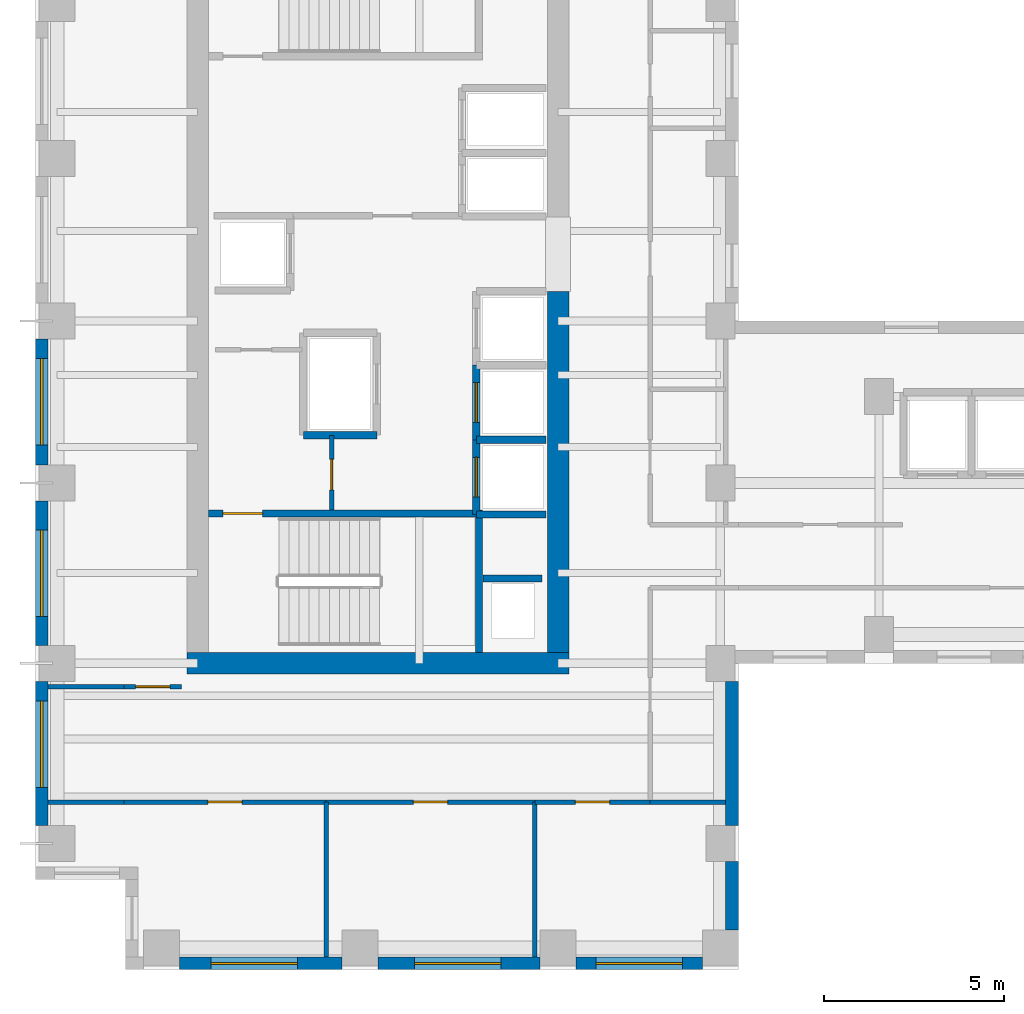
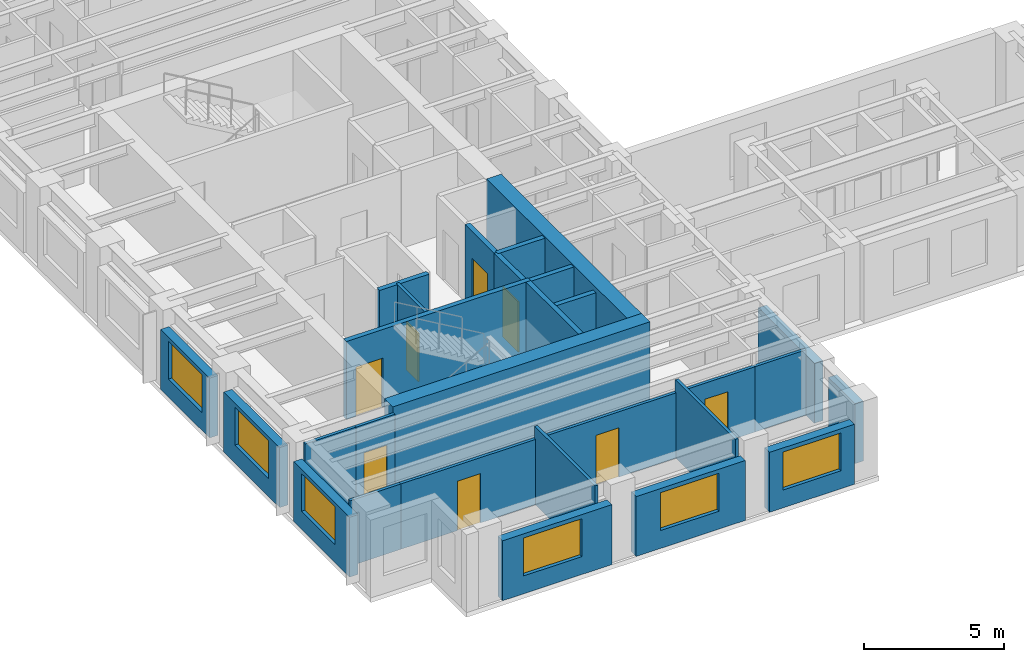
# One storey, part 3 of 11: 28 walls, 8 doors, 6 windows, 14 openings.
"""IFC4 building model written with IfcOpenShell, lengths in metres."""

from ifc_helpers import new_model, si_unit, direction, frame, frame_2d, origin, place, context, subcontext, project, spatial, rectangle, extrude, source, transform, mapped, material, layer, layer_set, type_object, element, fill, save


model = new_model("IFC4")

# Units and contexts
model_context = context("Model", 3, precision=1e-05, world=origin(), true_north=direction((0.0, 1.0)))
body_context = subcontext(model_context, "Body", "Model", "MODEL_VIEW")
ifc_project = project(units=[si_unit("LENGTHUNIT", "METRE"), si_unit("AREAUNIT", "SQUARE_METRE"), si_unit("VOLUMEUNIT", "CUBIC_METRE"), si_unit("PLANEANGLEUNIT", "RADIAN"), si_unit("MASSUNIT", "GRAM", prefix="KILO")], contexts=[model_context])

# Site, building, storey
site_placement = place(None, origin())
site = spatial("IfcSite", under=ifc_project, at=site_placement, CompositionType="ELEMENT")
building_placement = place(site_placement, origin())
building = spatial("IfcBuilding", under=site, at=building_placement, Name="Kharzan Plaza Tower", CompositionType="ELEMENT")
storey_placement = place(building_placement, frame((0.0, 0.0, 193.5)))
storey = spatial("IfcBuildingStorey", under=building, at=storey_placement, Name="L52", CompositionType="ELEMENT", Elevation=193.5)

# Wall, opening, window
ifc_material_1 = material(Name="Concrete C40/50", Category="concrete")
ifc_layer_1 = layer(ifc_material_1, 0.35009765625)
ifc_layer_set_1 = layer_set([ifc_layer_1], Name="Concrete C40/50")
wall_type_1 = type_object("IfcWallType", Name="WL-EXT-MAS-Z3", PredefinedType="SOLIDWALL", material=ifc_layer_set_1)
wall_1_placement = place(storey_placement, frame((0.175048828125, 17.501953125, 0.0), z_axis=(0.0, 0.0, 1.0), x_axis=(0.0, -1.0, 0.0)))
wall_1 = element("IfcWall", 1, at=wall_1_placement, inside=storey, type_object=wall_type_1, Name="L52 Masonry-Frame Exterior Wall 15", PredefinedType="SOLIDWALL", context=body_context, shape_type="SweptSolid", body=[
    extrude(rectangle(XDim=3.50390625, YDim=0.35009765625, at=frame_2d((1.751953125, 0.0))), origin(), (0.0, 0.0, 1.0), 2.612060546875),
])
opening_1_placement = place(wall_1_placement, frame((0.552001953125, 0.0, 0.780029296875)))
opening_1 = element("IfcOpeningElement", 2, at=opening_1_placement, cuts=wall_1, Name="Opening W2", PredefinedType="OPENING", context=body_context, shape_type="SweptSolid", body=[
    extrude(rectangle(XDim=2.39990234375, YDim=1.652099609375, at=frame_2d((1.199951171875, 0.826171875))), frame((0.0, 0.18505859375, 0.0), z_axis=(0.0, -1.0, 0.0), x_axis=(1.0, 0.0, 0.0)), (0.0, 0.0, 1.0), 0.3701171875),
])
ifc_material_2 = material(Name="Low-E Double Glazing", Category="glass")
window_type = type_object("IfcWindowType", Name="WN-REC-2400x2100", PartitioningType="SINGLE_PANEL", PredefinedType="WINDOW", material=ifc_material_2)
shared_shape_1 = source(origin(), body_context, "Body", "SweptSolid", [
    extrude(rectangle(XDim=2.39990234375, YDim=1.652099609375, at=frame_2d((1.199951171875, 0.826171875))), frame((0.0, 0.030029296875, 0.0), z_axis=(0.0, -1.0, 0.0), x_axis=(1.0, 0.0, 0.0)), (0.0, 0.0, 1.0), 0.06005859375),
])
window_1_placement = place(opening_1_placement, origin())
window_1 = element("IfcWindow", 3, at=window_1_placement, inside=storey, type_object=window_type, Name="L52 Wide Recessed Solar-Control Window 15-1", OverallHeight=1.652099609375, OverallWidth=2.39990234375, PartitioningType="SINGLE_PANEL", PredefinedType="WINDOW", context=body_context, shape_type="MappedRepresentation", body=[
    mapped(shared_shape_1, transform((0.0, 0.0, 0.0), x_axis=(1.0, 0.0, 0.0), y_axis=(0.0, 1.0, 0.0), z_axis=(0.0, 0.0, 1.0))),
])
fill(opening_1, window_1)

wall_2_placement = place(storey_placement, frame((0.175048828125, 13.001953125, 0.0), z_axis=(0.0, 0.0, 1.0), x_axis=(0.0, -1.0, 0.0)))
wall_2 = element("IfcWall", 4, at=wall_2_placement, inside=storey, type_object=wall_type_1, Name="L52 Masonry-Frame Exterior Wall 16", PredefinedType="SOLIDWALL", context=body_context, shape_type="SweptSolid", body=[
    extrude(rectangle(XDim=4.00390625, YDim=0.35009765625, at=frame_2d((2.001953125, 0.0))), origin(), (0.0, 0.0, 1.0), 2.612060546875),
])
opening_2_placement = place(wall_2_placement, frame((0.802001953125, 0.0, 0.780029296875)))
opening_2 = element("IfcOpeningElement", 5, at=opening_2_placement, cuts=wall_2, Name="Opening W2", PredefinedType="OPENING", context=body_context, shape_type="SweptSolid", body=[
    extrude(rectangle(XDim=2.39990234375, YDim=1.652099609375, at=frame_2d((1.199951171875, 0.826171875))), frame((0.0, 0.18505859375, 0.0), z_axis=(0.0, -1.0, 0.0), x_axis=(1.0, 0.0, 0.0)), (0.0, 0.0, 1.0), 0.3701171875),
])
window_2_placement = place(opening_2_placement, origin())
window_2 = element("IfcWindow", 6, at=window_2_placement, inside=storey, type_object=window_type, Name="L52 Wide Recessed Solar-Control Window 16-1", OverallHeight=1.652099609375, OverallWidth=2.39990234375, PartitioningType="SINGLE_PANEL", PredefinedType="WINDOW", context=body_context, shape_type="MappedRepresentation", body=[
    mapped(shared_shape_1, transform((0.0, 0.0, 0.0), x_axis=(1.0, 0.0, 0.0), y_axis=(0.0, 1.0, 0.0), z_axis=(0.0, 0.0, 1.0))),
])
fill(opening_2, window_2)

wall_3_placement = place(storey_placement, frame((0.175048828125, 8.001953125, 0.0), z_axis=(0.0, 0.0, 1.0), x_axis=(0.0, -1.0, 0.0)))
wall_3 = element("IfcWall", 7, at=wall_3_placement, inside=storey, type_object=wall_type_1, Name="L52 Masonry-Frame Exterior Wall 17", PredefinedType="SOLIDWALL", context=body_context, shape_type="SweptSolid", body=[
    extrude(rectangle(XDim=4.00390625, YDim=0.35009765625, at=frame_2d((2.001953125, 0.0))), origin(), (0.0, 0.0, 1.0), 2.612060546875),
])
opening_3_placement = place(wall_3_placement, frame((0.552001953125, 0.0, 0.780029296875)))
opening_3 = element("IfcOpeningElement", 8, at=opening_3_placement, cuts=wall_3, Name="Opening W2", PredefinedType="OPENING", context=body_context, shape_type="SweptSolid", body=[
    extrude(rectangle(XDim=2.39990234375, YDim=1.652099609375, at=frame_2d((1.199951171875, 0.826171875))), frame((0.0, 0.18505859375, 0.0), z_axis=(0.0, -1.0, 0.0), x_axis=(1.0, 0.0, 0.0)), (0.0, 0.0, 1.0), 0.3701171875),
])
window_3_placement = place(opening_3_placement, origin())
window_3 = element("IfcWindow", 9, at=window_3_placement, inside=storey, type_object=window_type, Name="L52 Wide Recessed Solar-Control Window 17-1", OverallHeight=1.652099609375, OverallWidth=2.39990234375, PartitioningType="SINGLE_PANEL", PredefinedType="WINDOW", context=body_context, shape_type="MappedRepresentation", body=[
    mapped(shared_shape_1, transform((0.0, 0.0, 0.0), x_axis=(1.0, 0.0, 0.0), y_axis=(0.0, 1.0, 0.0), z_axis=(0.0, 0.0, 1.0))),
])
fill(opening_3, window_3)

wall_4_placement = place(storey_placement, frame((3.998046875, 0.175048828125, 0.0), z_axis=(0.0, 0.0, 1.0), x_axis=(1.0, 0.0, 0.0)))
wall_4 = element("IfcWall", 10, at=wall_4_placement, inside=storey, type_object=wall_type_1, Name="L52 Masonry-Frame Exterior Wall 21", PredefinedType="SOLIDWALL", context=body_context, shape_type="SweptSolid", body=[
    extrude(rectangle(XDim=4.50390625, YDim=0.35009765625, at=frame_2d((2.251953125, 0.0))), origin(), (0.0, 0.0, 1.0), 2.612060546875),
])
opening_4_placement = place(wall_4_placement, frame((0.866455078125, 0.0, 0.780029296875)))
opening_4 = element("IfcOpeningElement", 11, at=opening_4_placement, cuts=wall_4, Name="Opening W2", PredefinedType="OPENING", context=body_context, shape_type="SweptSolid", body=[
    extrude(rectangle(XDim=2.39990234375, YDim=1.652099609375, at=frame_2d((1.199951171875, 0.826171875))), frame((0.0, 0.18505859375, 0.0), z_axis=(0.0, -1.0, 0.0), x_axis=(1.0, 0.0, 0.0)), (0.0, 0.0, 1.0), 0.3701171875),
])
window_4_placement = place(opening_4_placement, origin())
window_4 = element("IfcWindow", 12, at=window_4_placement, inside=storey, type_object=window_type, Name="L52 Wide Recessed Solar-Control Window 21-1", OverallHeight=1.652099609375, OverallWidth=2.39990234375, PartitioningType="SINGLE_PANEL", PredefinedType="WINDOW", context=body_context, shape_type="MappedRepresentation", body=[
    mapped(shared_shape_1, transform((0.0, 0.0, 0.0), x_axis=(1.0, 0.0, 0.0), y_axis=(0.0, 1.0, 0.0), z_axis=(0.0, 0.0, 1.0))),
])
fill(opening_4, window_4)

wall_5_placement = place(storey_placement, frame((9.498046875, 0.175048828125, 0.0), z_axis=(0.0, 0.0, 1.0), x_axis=(1.0, 0.0, 0.0)))
wall_5 = element("IfcWall", 13, at=wall_5_placement, inside=storey, type_object=wall_type_1, Name="L52 Masonry-Frame Exterior Wall 22", PredefinedType="SOLIDWALL", context=body_context, shape_type="SweptSolid", body=[
    extrude(rectangle(XDim=4.50390625, YDim=0.35009765625, at=frame_2d((2.251953125, 0.0))), origin(), (0.0, 0.0, 1.0), 2.612060546875),
])
opening_5_placement = place(wall_5_placement, frame((1.012939453125, 0.0, 0.780029296875)))
opening_5 = element("IfcOpeningElement", 14, at=opening_5_placement, cuts=wall_5, Name="Opening W2", PredefinedType="OPENING", context=body_context, shape_type="SweptSolid", body=[
    extrude(rectangle(XDim=2.39990234375, YDim=1.652099609375, at=frame_2d((1.199951171875, 0.826171875))), frame((0.0, 0.18505859375, 0.0), z_axis=(0.0, -1.0, 0.0), x_axis=(1.0, 0.0, 0.0)), (0.0, 0.0, 1.0), 0.3701171875),
])
window_5_placement = place(opening_5_placement, origin())
window_5 = element("IfcWindow", 15, at=window_5_placement, inside=storey, type_object=window_type, Name="L52 Wide Recessed Solar-Control Window 22-1", OverallHeight=1.652099609375, OverallWidth=2.39990234375, PartitioningType="SINGLE_PANEL", PredefinedType="WINDOW", context=body_context, shape_type="MappedRepresentation", body=[
    mapped(shared_shape_1, transform((0.0, 0.0, 0.0), x_axis=(1.0, 0.0, 0.0), y_axis=(0.0, 1.0, 0.0), z_axis=(0.0, 0.0, 1.0))),
])
fill(opening_5, window_5)

wall_6_placement = place(storey_placement, frame((14.998046875, 0.175048828125, 0.0), z_axis=(0.0, 0.0, 1.0), x_axis=(1.0, 0.0, 0.0)))
wall_6 = element("IfcWall", 16, at=wall_6_placement, inside=storey, type_object=wall_type_1, Name="L52 Masonry-Frame Exterior Wall 23", PredefinedType="SOLIDWALL", context=body_context, shape_type="SweptSolid", body=[
    extrude(rectangle(XDim=3.50390625, YDim=0.35009765625, at=frame_2d((1.751953125, 0.0))), origin(), (0.0, 0.0, 1.0), 2.612060546875),
])
opening_6_placement = place(wall_6_placement, frame((0.552001953125, 0.0, 0.780029296875)))
opening_6 = element("IfcOpeningElement", 17, at=opening_6_placement, cuts=wall_6, Name="Opening W2", PredefinedType="OPENING", context=body_context, shape_type="SweptSolid", body=[
    extrude(rectangle(XDim=2.39990234375, YDim=1.652099609375, at=frame_2d((1.199951171875, 0.826171875))), frame((0.0, 0.18505859375, 0.0), z_axis=(0.0, -1.0, 0.0), x_axis=(1.0, 0.0, 0.0)), (0.0, 0.0, 1.0), 0.3701171875),
])
window_6_placement = place(opening_6_placement, origin())
window_6 = element("IfcWindow", 18, at=window_6_placement, inside=storey, type_object=window_type, Name="L52 Wide Recessed Solar-Control Window 23-1", OverallHeight=1.652099609375, OverallWidth=2.39990234375, PartitioningType="SINGLE_PANEL", PredefinedType="WINDOW", context=body_context, shape_type="MappedRepresentation", body=[
    mapped(shared_shape_1, transform((0.0, 0.0, 0.0), x_axis=(1.0, 0.0, 0.0), y_axis=(0.0, 1.0, 0.0), z_axis=(0.0, 0.0, 1.0))),
])
fill(opening_6, window_6)

# Wall, opening, door
ifc_material_3 = material(Name="Fire-Rated Gypsum Board Partition", Category="gypsum")
ifc_layer_2 = layer(ifc_material_3, 0.125)
ifc_layer_set_2 = layer_set([ifc_layer_2], Name="Fire-Rated Gypsum Board Partition")
wall_type_2 = type_object("IfcWallType", Name="WL-INT-PART-125", PredefinedType="PARTITIONING", material=ifc_layer_set_2)
wall_7_placement = place(storey_placement, frame((8.219970703125, 12.75, 0.0), z_axis=(0.0, 0.0, 1.0), x_axis=(0.0, 1.0, 0.0)))
wall_7 = element("IfcWall", 19, at=wall_7_placement, inside=storey, type_object=wall_type_2, Name="L52 Interior Partition CA-K1E", PredefinedType="PARTITIONING", context=body_context, shape_type="SweptSolid", body=[
    extrude(rectangle(XDim=2.070068359375, YDim=0.125, at=frame_2d((1.03515625, 0.0))), origin(), (0.0, 0.0, 1.0), 3.385009765625),
])
opening_7_placement = place(wall_7_placement, frame((0.56005859375, 0.0, 0.0)))
opening_7 = element("IfcOpeningElement", 20, at=opening_7_placement, cuts=wall_7, Name="Opening RD1", PredefinedType="OPENING", context=body_context, shape_type="SweptSolid", body=[
    extrude(rectangle(XDim=0.85009765625, YDim=2.10009765625, at=frame_2d((0.425048828125, 1.050048828125))), frame((0.0, 0.072509765625, 0.0), z_axis=(0.0, -1.0, 0.0), x_axis=(1.0, 0.0, 0.0)), (0.0, 0.0, 1.0), 0.14501953125),
])
ifc_material_4 = material(Name="Powder-Coated Fire-Rated Steel", Category="steel")
door_type_1 = type_object("IfcDoorType", Name="DR-RISER-900", OperationType="NOTDEFINED", PredefinedType="DOOR", material=ifc_material_4)
shared_shape_2 = source(origin(), body_context, "Body", "SweptSolid", [
    extrude(rectangle(XDim=0.85009765625, YDim=2.10009765625, at=frame_2d((0.425048828125, 1.050048828125))), frame((0.0, 0.02490234375, 0.0), z_axis=(0.0, -1.0, 0.0), x_axis=(1.0, 0.0, 0.0)), (0.0, 0.0, 1.0), 0.050048828125),
])
door_1_placement = place(opening_7_placement, origin())
door_1 = element("IfcDoor", 21, at=door_1_placement, inside=storey, type_object=door_type_1, Name="L52 Core Service Store Door", OperationType="SINGLE_SWING_RIGHT", OverallHeight=2.10009765625, OverallWidth=0.85009765625, PredefinedType="DOOR", context=body_context, shape_type="MappedRepresentation", body=[
    mapped(shared_shape_2, transform((0.0, 0.0, 0.0), x_axis=(1.0, 0.0, 0.0), y_axis=(0.0, 1.0, 0.0), z_axis=(0.0, 0.0, 1.0))),
])
fill(opening_7, door_1)

wall_8_placement = place(storey_placement, frame((2.449951171875, 7.85009765625, 0.0), z_axis=(0.0, 0.0, 1.0), x_axis=(1.0, 0.0, 0.0)))
wall_8 = element("IfcWall", 22, at=wall_8_placement, inside=storey, type_object=wall_type_2, Name="L52 Interior Partition SH-RWSD", PredefinedType="PARTITIONING", context=body_context, shape_type="SweptSolid", body=[
    extrude(rectangle(XDim=1.60009765625, YDim=0.125, at=frame_2d((0.800048828125, 0.0))), origin(), (0.0, 0.0, 1.0), 3.385009765625),
])
opening_8_placement = place(wall_8_placement, frame((0.324951171875, 0.0, 0.0)))
opening_8 = element("IfcOpeningElement", 23, at=opening_8_placement, cuts=wall_8, Name="Opening OD1", PredefinedType="OPENING", context=body_context, shape_type="SweptSolid", body=[
    extrude(rectangle(XDim=0.949951171875, YDim=2.14990234375, at=frame_2d((0.47509765625, 1.074951171875))), frame((0.0, 0.072509765625, 0.0), z_axis=(0.0, -1.0, 0.0), x_axis=(1.0, 0.0, 0.0)), (0.0, 0.0, 1.0), 0.14501953125),
])
ifc_material_5 = material(Name="Acoustic Solid-Core Stained Oak", Category="timber")
door_type_2 = type_object("IfcDoorType", Name="DR-OFF-SINGLE", OperationType="NOTDEFINED", PredefinedType="DOOR", material=ifc_material_5)
shared_shape_3 = source(origin(), body_context, "Body", "SweptSolid", [
    extrude(rectangle(XDim=0.949951171875, YDim=2.14990234375, at=frame_2d((0.47509765625, 1.074951171875))), frame((0.0, 0.02490234375, 0.0), z_axis=(0.0, -1.0, 0.0), x_axis=(1.0, 0.0, 0.0)), (0.0, 0.0, 1.0), 0.050048828125),
])
door_2_placement = place(opening_8_placement, origin())
door_2 = element("IfcDoor", 24, at=door_2_placement, inside=storey, type_object=door_type_2, Name="L52 West Studio South Door", OperationType="SINGLE_SWING_RIGHT", OverallHeight=2.14990234375, OverallWidth=0.949951171875, PredefinedType="DOOR", context=body_context, shape_type="MappedRepresentation", body=[
    mapped(shared_shape_3, transform((0.0, 0.0, 0.0), x_axis=(1.0, 0.0, 0.0), y_axis=(0.0, 1.0, 0.0), z_axis=(0.0, 0.0, 1.0))),
])
fill(opening_8, door_2)

wall_9_placement = place(storey_placement, frame((2.449951171875, 4.64990234375, 0.0), z_axis=(0.0, 0.0, 1.0), x_axis=(1.0, 0.0, 0.0)))
wall_9 = element("IfcWall", 25, at=wall_9_placement, inside=storey, type_object=wall_type_2, Name="L52 Interior Partition SH-SS-1", PredefinedType="PARTITIONING", context=body_context, shape_type="SweptSolid", body=[
    extrude(rectangle(XDim=5.611083984375, YDim=0.125, at=frame_2d((2.8056640625, 0.0))), origin(), (0.0, 0.0, 1.0), 2.847900390625),
])
opening_9_placement = place(wall_9_placement, frame((2.33056640625, 0.0, 0.0)))
opening_9 = element("IfcOpeningElement", 26, at=opening_9_placement, cuts=wall_9, Name="Opening OD1", PredefinedType="OPENING", context=body_context, shape_type="SweptSolid", body=[
    extrude(rectangle(XDim=0.949951171875, YDim=2.14990234375, at=frame_2d((0.47509765625, 1.074951171875))), frame((0.0, 0.072509765625, 0.0), z_axis=(0.0, -1.0, 0.0), x_axis=(1.0, 0.0, 0.0)), (0.0, 0.0, 1.0), 0.14501953125),
])
door_3_placement = place(opening_9_placement, origin())
door_3 = element("IfcDoor", 27, at=door_3_placement, inside=storey, type_object=door_type_2, Name="L52 Cloud Architecture Office Door", OperationType="SINGLE_SWING_LEFT", OverallHeight=2.14990234375, OverallWidth=0.949951171875, PredefinedType="DOOR", context=body_context, shape_type="MappedRepresentation", body=[
    mapped(shared_shape_3, transform((0.0, 0.0, 0.0), x_axis=(1.0, 0.0, 0.0), y_axis=(0.0, 1.0, 0.0), z_axis=(0.0, 0.0, 1.0))),
])
fill(opening_9, door_3)

wall_10_placement = place(storey_placement, frame((8.06103515625, 4.64990234375, 0.0), z_axis=(0.0, 0.0, 1.0), x_axis=(1.0, 0.0, 0.0)))
wall_10 = element("IfcWall", 28, at=wall_10_placement, inside=storey, type_object=wall_type_2, Name="L52 Interior Partition SH-SS-2", PredefinedType="PARTITIONING", context=body_context, shape_type="SweptSolid", body=[
    extrude(rectangle(XDim=5.79296875, YDim=0.125, at=frame_2d((2.896484375, 0.0))), origin(), (0.0, 0.0, 1.0), 2.847900390625),
])
opening_10_placement = place(wall_10_placement, frame((2.42138671875, 0.0, 0.0)))
opening_10 = element("IfcOpeningElement", 29, at=opening_10_placement, cuts=wall_10, Name="Opening OD1", PredefinedType="OPENING", context=body_context, shape_type="SweptSolid", body=[
    extrude(rectangle(XDim=0.949951171875, YDim=2.14990234375, at=frame_2d((0.47509765625, 1.074951171875))), frame((0.0, 0.072509765625, 0.0), z_axis=(0.0, -1.0, 0.0), x_axis=(1.0, 0.0, 0.0)), (0.0, 0.0, 1.0), 0.14501953125),
])
door_4_placement = place(opening_10_placement, origin())
door_4 = element("IfcDoor", 30, at=door_4_placement, inside=storey, type_object=door_type_2, Name="L52 Sprint Review Meeting Room Door", OperationType="SINGLE_SWING_RIGHT", OverallHeight=2.14990234375, OverallWidth=0.949951171875, PredefinedType="DOOR", context=body_context, shape_type="MappedRepresentation", body=[
    mapped(shared_shape_3, transform((0.0, 0.0, 0.0), x_axis=(1.0, 0.0, 0.0), y_axis=(0.0, 1.0, 0.0), z_axis=(0.0, 0.0, 1.0))),
])
fill(opening_10, door_4)

wall_11_placement = place(storey_placement, frame((13.85400390625, 4.64990234375, 0.0), z_axis=(0.0, 0.0, 1.0), x_axis=(1.0, 0.0, 0.0)))
wall_11 = element("IfcWall", 31, at=wall_11_placement, inside=storey, type_object=wall_type_2, Name="L52 Interior Partition SH-SS-3", PredefinedType="PARTITIONING", context=body_context, shape_type="SweptSolid", body=[
    extrude(rectangle(XDim=3.196044921875, YDim=0.125, at=frame_2d((1.59814453125, 0.0))), origin(), (0.0, 0.0, 1.0), 2.847900390625),
])
opening_11_placement = place(wall_11_placement, frame((1.123046875, 0.0, 0.0)))
opening_11 = element("IfcOpeningElement", 32, at=opening_11_placement, cuts=wall_11, Name="Opening OD1", PredefinedType="OPENING", context=body_context, shape_type="SweptSolid", body=[
    extrude(rectangle(XDim=0.949951171875, YDim=2.14990234375, at=frame_2d((0.47509765625, 1.074951171875))), frame((0.0, 0.072509765625, 0.0), z_axis=(0.0, -1.0, 0.0), x_axis=(1.0, 0.0, 0.0)), (0.0, 0.0, 1.0), 0.14501953125),
])
door_5_placement = place(opening_11_placement, origin())
door_5 = element("IfcDoor", 33, at=door_5_placement, inside=storey, type_object=door_type_2, Name="L52 Staff Tea Pantry Door", OperationType="SINGLE_SWING_LEFT", OverallHeight=2.14990234375, OverallWidth=0.949951171875, PredefinedType="DOOR", context=body_context, shape_type="MappedRepresentation", body=[
    mapped(shared_shape_3, transform((0.0, 0.0, 0.0), x_axis=(1.0, 0.0, 0.0), y_axis=(0.0, 1.0, 0.0), z_axis=(0.0, 0.0, 1.0))),
])
fill(opening_11, door_5)

ifc_layer_3 = layer(ifc_material_1, 0.199951171875)
ifc_layer_set_3 = layer_set([ifc_layer_3], Name="Concrete C40/50")
wall_type_3 = type_object("IfcWallType", Name="WL-INT-SHAFT-200", PredefinedType="PARTITIONING", material=ifc_layer_set_3)
wall_12_placement = place(storey_placement, frame((12.22998046875, 12.6298828125, 0.0), z_axis=(0.0, 0.0, 1.0), x_axis=(0.0, 1.0, 0.0)))
wall_12 = element("IfcWall", 34, at=wall_12_placement, inside=storey, type_object=wall_type_3, Name="L52 Interior Partition SHF-PL-H1-W", PredefinedType="PARTITIONING", context=body_context, shape_type="SweptSolid", body=[
    extrude(rectangle(XDim=2.070068359375, YDim=0.199951171875, at=frame_2d((1.03515625, 0.0))), origin(), (0.0, 0.0, 1.0), 3.385009765625),
])
opening_12_placement = place(wall_12_placement, frame((0.485107421875, 0.0, 0.0)))
opening_12 = element("IfcOpeningElement", 35, at=opening_12_placement, cuts=wall_12, Name="Opening LD", PredefinedType="OPENING", context=body_context, shape_type="SweptSolid", body=[
    extrude(rectangle(XDim=1.10009765625, YDim=2.199951171875, at=frame_2d((0.550048828125, 1.10009765625))), frame((0.0, 0.10986328125, 0.0), z_axis=(0.0, -1.0, 0.0), x_axis=(1.0, 0.0, 0.0)), (0.0, 0.0, 1.0), 0.219970703125),
])
ifc_material_6 = material(Name="Brushed Stainless Steel", Category="steel")
door_type_3 = type_object("IfcDoorType", Name="DR-LIFT-SLIDE", OperationType="SLIDING_TO_LEFT", PredefinedType="DOOR", material=ifc_material_6)
shared_shape_4 = source(origin(), body_context, "Body", "SweptSolid", [
    extrude(rectangle(XDim=1.10009765625, YDim=2.199951171875, at=frame_2d((0.550048828125, 1.10009765625))), frame((0.0, 0.02490234375, 0.0), z_axis=(0.0, -1.0, 0.0), x_axis=(1.0, 0.0, 0.0)), (0.0, 0.0, 1.0), 0.050048828125),
])
door_6_placement = place(opening_12_placement, origin())
door_6 = element("IfcDoor", 36, at=door_6_placement, inside=storey, type_object=door_type_3, Name="L52 High-Rise Passenger Lift PL-H1 Sliding Landing Door", OperationType="SLIDING_TO_LEFT", OverallHeight=2.199951171875, OverallWidth=1.10009765625, PredefinedType="DOOR", context=body_context, shape_type="MappedRepresentation", body=[
    mapped(shared_shape_4, transform((0.0, 0.0, 0.0), x_axis=(1.0, 0.0, 0.0), y_axis=(0.0, 1.0, 0.0), z_axis=(0.0, 0.0, 1.0))),
])
fill(opening_12, door_6)

wall_13_placement = place(storey_placement, frame((12.22998046875, 14.699951171875, 0.0), z_axis=(0.0, 0.0, 1.0), x_axis=(0.0, 1.0, 0.0)))
wall_13 = element("IfcWall", 37, at=wall_13_placement, inside=storey, type_object=wall_type_3, Name="L52 Interior Partition SHF-PL-H2-W", PredefinedType="PARTITIONING", context=body_context, shape_type="SweptSolid", body=[
    extrude(rectangle(XDim=2.070068359375, YDim=0.199951171875, at=frame_2d((1.03515625, 0.0))), origin(), (0.0, 0.0, 1.0), 3.385009765625),
])
opening_13_placement = place(wall_13_placement, frame((0.485107421875, 0.0, 0.0)))
opening_13 = element("IfcOpeningElement", 38, at=opening_13_placement, cuts=wall_13, Name="Opening LD", PredefinedType="OPENING", context=body_context, shape_type="SweptSolid", body=[
    extrude(rectangle(XDim=1.10009765625, YDim=2.199951171875, at=frame_2d((0.550048828125, 1.10009765625))), frame((0.0, 0.10986328125, 0.0), z_axis=(0.0, -1.0, 0.0), x_axis=(1.0, 0.0, 0.0)), (0.0, 0.0, 1.0), 0.219970703125),
])
door_7_placement = place(opening_13_placement, origin())
door_7 = element("IfcDoor", 39, at=door_7_placement, inside=storey, type_object=door_type_3, Name="L52 High-Rise Passenger Lift PL-H2 Sliding Landing Door", OperationType="SLIDING_TO_LEFT", OverallHeight=2.199951171875, OverallWidth=1.10009765625, PredefinedType="DOOR", context=body_context, shape_type="MappedRepresentation", body=[
    mapped(shared_shape_4, transform((0.0, 0.0, 0.0), x_axis=(1.0, 0.0, 0.0), y_axis=(0.0, 1.0, 0.0), z_axis=(0.0, 0.0, 1.0))),
])
fill(opening_13, door_7)

ifc_material_7 = material(Name="Concrete C50/60", Category="concrete")
ifc_layer_4 = layer(ifc_material_7, 0.199951171875)
ifc_layer_set_4 = layer_set([ifc_layer_4], Name="Concrete C50/60")
wall_type_4 = type_object("IfcWallType", Name="WL-SHAFT-RC200", PredefinedType="SHEAR", material=ifc_layer_set_4)
wall_14_placement = place(storey_placement, frame((4.802001953125, 12.655029296875, 0.0), z_axis=(0.0, 0.0, 1.0), x_axis=(1.0, 0.0, 0.0)))
wall_14 = element("IfcWall", 40, at=wall_14_placement, inside=storey, type_object=wall_type_4, Name="L52 Stair ST-1 North RC Shaft Wall", PredefinedType="SHEAR", context=body_context, shape_type="SweptSolid", body=[
    extrude(rectangle(XDim=7.60302734375, YDim=0.199951171875, at=frame_2d((3.801513671875, 0.0))), origin(), (0.0, 0.0, 1.0), 3.39990234375),
])
opening_14_placement = place(wall_14_placement, frame((0.39990234375, 0.0, 0.0)))
opening_14 = element("IfcOpeningElement", 41, at=opening_14_placement, cuts=wall_14, Name="Opening SD1", PredefinedType="OPENING", context=body_context, shape_type="SweptSolid", body=[
    extrude(rectangle(XDim=1.10009765625, YDim=2.14990234375, at=frame_2d((0.550048828125, 1.074951171875))), frame((0.0, 0.10986328125, 0.0), z_axis=(0.0, -1.0, 0.0), x_axis=(1.0, 0.0, 0.0)), (0.0, 0.0, 1.0), 0.219970703125),
])
ifc_material_8 = material(Name="Fire-Rated Hollow Galvanized Steel", Category="steel")
door_type_4 = type_object("IfcDoorType", Name="DR-STAIR-FD120", OperationType="NOTDEFINED", PredefinedType="DOOR", material=ifc_material_8)
shared_shape_5 = source(origin(), body_context, "Body", "SweptSolid", [
    extrude(rectangle(XDim=1.10009765625, YDim=2.14990234375, at=frame_2d((0.550048828125, 1.074951171875))), frame((0.0, 0.02490234375, 0.0), z_axis=(0.0, -1.0, 0.0), x_axis=(1.0, 0.0, 0.0)), (0.0, 0.0, 1.0), 0.050048828125),
])
door_8_placement = place(opening_14_placement, origin())
door_8 = element("IfcDoor", 42, at=door_8_placement, inside=storey, type_object=door_type_4, Name="L52 Stair ST-1 Fire Exit Door", OperationType="SINGLE_SWING_RIGHT", OverallHeight=2.14990234375, OverallWidth=1.10009765625, PredefinedType="DOOR", context=body_context, shape_type="MappedRepresentation", body=[
    mapped(shared_shape_5, transform((0.0, 0.0, 0.0), x_axis=(1.0, 0.0, 0.0), y_axis=(0.0, 1.0, 0.0), z_axis=(0.0, 0.0, 1.0))),
])
fill(opening_14, door_8)

# Walls
ifc_layer_5 = layer(ifc_material_7, 0.60009765625)
ifc_layer_set_5 = layer_set([ifc_layer_5], Name="Concrete C50/60")
wall_type_5 = type_object("IfcWallType", Name="WL-CORE-600", PredefinedType="SHEAR", material=ifc_layer_set_5)
shared_shape_6 = source(origin(), body_context, "Body", "SweptSolid", [
    extrude(rectangle(XDim=10.02001953125, YDim=0.60009765625, at=frame_2d((5.010009765625, 0.0))), origin(), (0.0, 0.0, 1.0), 3.39990234375),
])
wall_15_placement = place(storey_placement, frame((14.5, 8.800048828125, 0.0), z_axis=(0.0, 0.0, 1.0), x_axis=(0.0, 1.0, 0.0)))
element("IfcWall", 43, at=wall_15_placement, inside=storey, type_object=wall_type_5, Name="L52 CORE-A east shear pier 1", PredefinedType="SHEAR", context=body_context, shape_type="MappedRepresentation", body=[
    mapped(shared_shape_6, transform((0.0, 0.0, 0.0), x_axis=(1.0, 0.0, 0.0), y_axis=(0.0, 1.0, 0.0), z_axis=(0.0, 0.0, 1.0))),
])
shared_shape_7 = source(origin(), body_context, "Body", "SweptSolid", [
    extrude(rectangle(XDim=10.60009765625, YDim=0.60009765625, at=frame_2d((5.300048828125, 0.0))), origin(), (0.0, 0.0, 1.0), 3.39990234375),
])
wall_16_placement = place(storey_placement, frame((4.199951171875, 8.5, 0.0), z_axis=(0.0, 0.0, 1.0), x_axis=(1.0, 0.0, 0.0)))
element("IfcWall", 44, at=wall_16_placement, inside=storey, type_object=wall_type_5, Name="L52 CORE-A south RC shear wall", PredefinedType="SHEAR", context=body_context, shape_type="MappedRepresentation", body=[
    mapped(shared_shape_7, transform((0.0, 0.0, 0.0), x_axis=(1.0, 0.0, 0.0), y_axis=(0.0, 1.0, 0.0), z_axis=(0.0, 0.0, 1.0))),
])
shared_shape_8 = source(origin(), body_context, "Body", "SweptSolid", [
    extrude(rectangle(XDim=2.097900390625, YDim=0.125, at=frame_2d((1.048828125, 0.0))), origin(), (0.0, 0.0, 1.0), 3.385009765625),
])
wall_17_placement = place(storey_placement, frame((0.35205078125, 7.85009765625, 0.0), z_axis=(0.0, 0.0, 1.0), x_axis=(1.0, 0.0, 0.0)))
element("IfcWall", 45, at=wall_17_placement, inside=storey, type_object=wall_type_2, Name="L52 Interior Partition SH-RWS0", PredefinedType="PARTITIONING", context=body_context, shape_type="MappedRepresentation", body=[
    mapped(shared_shape_8, transform((0.0, 0.0, 0.0), x_axis=(1.0, 0.0, 0.0), y_axis=(0.0, 1.0, 0.0), z_axis=(0.0, 0.0, 1.0))),
])
shared_shape_9 = source(origin(), body_context, "Body", "SweptSolid", [
    extrude(rectangle(XDim=2.097900390625, YDim=0.125, at=frame_2d((1.048828125, 0.0))), origin(), (0.0, 0.0, 1.0), 2.847900390625),
])
for number, where, z_axis, x_axis, name in (
    (46, (0.35205078125, 4.64990234375, 0.0), (0.0, 0.0, 1.0), (1.0, 0.0, 0.0), "L52 Interior Partition SH-SS-EXT"),
    (47, (17.050048828125, 4.64990234375, 0.0), (0.0, 0.0, 1.0), (1.0, 0.0, 0.0), "L52 Interior Partition SH-SSE-3"),
):
    element("IfcWall", number, at=place(storey_placement, frame(where, z_axis=z_axis, x_axis=x_axis)), inside=storey, type_object=wall_type_2, Name=name, PredefinedType="PARTITIONING", context=body_context, shape_type="MappedRepresentation", body=[
        mapped(shared_shape_9, transform((0.0, 0.0, 0.0), x_axis=(1.0, 0.0, 0.0), y_axis=(0.0, 1.0, 0.0), z_axis=(0.0, 0.0, 1.0))),
    ])
shared_shape_10 = source(origin(), body_context, "Body", "SweptSolid", [
    extrude(rectangle(XDim=4.2978515625, YDim=0.125, at=frame_2d((2.14892578125, 0.0))), origin(), (0.0, 0.0, 1.0), 3.385009765625),
])
for number, where, z_axis, x_axis, name in (
    (48, (8.06103515625, 0.35205078125, 0.0), (0.0, 0.0, 1.0), (0.0, 1.0, 0.0), "L52 Interior Partition SH-SV-1"),
    (49, (13.85400390625, 0.35205078125, 0.0), (0.0, 0.0, 1.0), (0.0, 1.0, 0.0), "L52 Interior Partition SH-SV-2"),
):
    element("IfcWall", number, at=place(storey_placement, frame(where, z_axis=z_axis, x_axis=x_axis)), inside=storey, type_object=wall_type_2, Name=name, PredefinedType="PARTITIONING", context=body_context, shape_type="MappedRepresentation", body=[
        mapped(shared_shape_10, transform((0.0, 0.0, 0.0), x_axis=(1.0, 0.0, 0.0), y_axis=(0.0, 1.0, 0.0), z_axis=(0.0, 0.0, 1.0))),
    ])
shared_shape_11 = source(origin(), body_context, "Body", "SweptSolid", [
    extrude(rectangle(XDim=1.630126953125, YDim=0.199951171875, at=frame_2d((0.81494140625, 0.0))), origin(), (0.0, 0.0, 1.0), 3.385009765625),
])
wall_18_placement = place(storey_placement, frame((12.419921875, 10.85009765625, 0.0), z_axis=(0.0, 0.0, 1.0), x_axis=(1.0, 0.0, 0.0)))
element("IfcWall", 50, at=wall_18_placement, inside=storey, type_object=wall_type_3, Name="L52 Interior Partition CA-RSRA-N", PredefinedType="PARTITIONING", context=body_context, shape_type="MappedRepresentation", body=[
    mapped(shared_shape_11, transform((0.0, 0.0, 0.0), x_axis=(1.0, 0.0, 0.0), y_axis=(0.0, 1.0, 0.0), z_axis=(0.0, 0.0, 1.0))),
])
shared_shape_12 = source(origin(), body_context, "Body", "SweptSolid", [
    extrude(rectangle(XDim=1.93994140625, YDim=0.199951171875, at=frame_2d((0.969970703125, 0.0))), origin(), (0.0, 0.0, 1.0), 3.385009765625),
])
for number, where, z_axis, x_axis, name in (
    (51, (12.22998046875, 14.699951171875, 0.0), (0.0, 0.0, 1.0), (1.0, 0.0, 0.0), "L52 Interior Partition SHF-PL-H1-N"),
    (52, (12.22998046875, 12.6298828125, 0.0), (0.0, 0.0, 1.0), (1.0, 0.0, 0.0), "L52 Interior Partition SHF-PL-H1-S"),
):
    element("IfcWall", number, at=place(storey_placement, frame(where, z_axis=z_axis, x_axis=x_axis)), inside=storey, type_object=wall_type_3, Name=name, PredefinedType="PARTITIONING", context=body_context, shape_type="MappedRepresentation", body=[
        mapped(shared_shape_12, transform((0.0, 0.0, 0.0), x_axis=(1.0, 0.0, 0.0), y_axis=(0.0, 1.0, 0.0), z_axis=(0.0, 0.0, 1.0))),
    ])
shared_shape_13 = source(origin(), body_context, "Body", "SweptSolid", [
    extrude(rectangle(XDim=2.0400390625, YDim=0.199951171875, at=frame_2d((1.02001953125, 0.0))), origin(), (0.0, 0.0, 1.0), 3.385009765625),
])
wall_19_placement = place(storey_placement, frame((7.429931640625, 14.830078125, 0.0), z_axis=(0.0, 0.0, 1.0), x_axis=(1.0, 0.0, 0.0)))
element("IfcWall", 53, at=wall_19_placement, inside=storey, type_object=wall_type_3, Name="L52 Interior Partition SHF-SVL-1-S", PredefinedType="PARTITIONING", context=body_context, shape_type="MappedRepresentation", body=[
    mapped(shared_shape_13, transform((0.0, 0.0, 0.0), x_axis=(1.0, 0.0, 0.0), y_axis=(0.0, 1.0, 0.0), z_axis=(0.0, 0.0, 1.0))),
])
shared_shape_14 = source(origin(), body_context, "Body", "SweptSolid", [
    extrude(rectangle(XDim=3.7529296875, YDim=0.199951171875, at=frame_2d((1.87646484375, 0.0))), origin(), (0.0, 0.0, 1.0), 3.39990234375),
])
wall_20_placement = place(storey_placement, frame((12.304931640625, 8.802001953125, 0.0), z_axis=(0.0, 0.0, 1.0), x_axis=(0.0, 1.0, 0.0)))
element("IfcWall", 54, at=wall_20_placement, inside=storey, type_object=wall_type_4, Name="L52 Stair ST-1 East RC Shaft Wall", PredefinedType="SHEAR", context=body_context, shape_type="MappedRepresentation", body=[
    mapped(shared_shape_14, transform((0.0, 0.0, 0.0), x_axis=(1.0, 0.0, 0.0), y_axis=(0.0, 1.0, 0.0), z_axis=(0.0, 0.0, 1.0))),
])
shared_shape_15 = source(origin(), body_context, "Body", "SweptSolid", [
    extrude(rectangle(XDim=1.904052734375, YDim=0.35009765625, at=frame_2d((0.9521484375, 0.0))), origin(), (0.0, 0.0, 1.0), 2.612060546875),
])
wall_21_placement = place(storey_placement, frame((19.324951171875, 1.097900390625, 0.0), z_axis=(0.0, 0.0, 1.0), x_axis=(0.0, 1.0, 0.0)))
element("IfcWall", 55, at=wall_21_placement, inside=storey, type_object=wall_type_1, Name="L52 Masonry-Frame Exterior Wall 24", PredefinedType="SOLIDWALL", context=body_context, shape_type="MappedRepresentation", body=[
    mapped(shared_shape_15, transform((0.0, 0.0, 0.0), x_axis=(1.0, 0.0, 0.0), y_axis=(0.0, 1.0, 0.0), z_axis=(0.0, 0.0, 1.0))),
])
shared_shape_16 = source(origin(), body_context, "Body", "SweptSolid", [
    extrude(rectangle(XDim=4.00390625, YDim=0.35009765625, at=frame_2d((2.001953125, 0.0))), origin(), (0.0, 0.0, 1.0), 2.612060546875),
])
wall_22_placement = place(storey_placement, frame((19.324951171875, 3.998046875, 0.0), z_axis=(0.0, 0.0, 1.0), x_axis=(0.0, 1.0, 0.0)))
element("IfcWall", 56, at=wall_22_placement, inside=storey, type_object=wall_type_1, Name="L52 Masonry-Frame Exterior Wall 25", PredefinedType="SOLIDWALL", context=body_context, shape_type="MappedRepresentation", body=[
    mapped(shared_shape_16, transform((0.0, 0.0, 0.0), x_axis=(1.0, 0.0, 0.0), y_axis=(0.0, 1.0, 0.0), z_axis=(0.0, 0.0, 1.0))),
])

save(model, "model.ifc")
